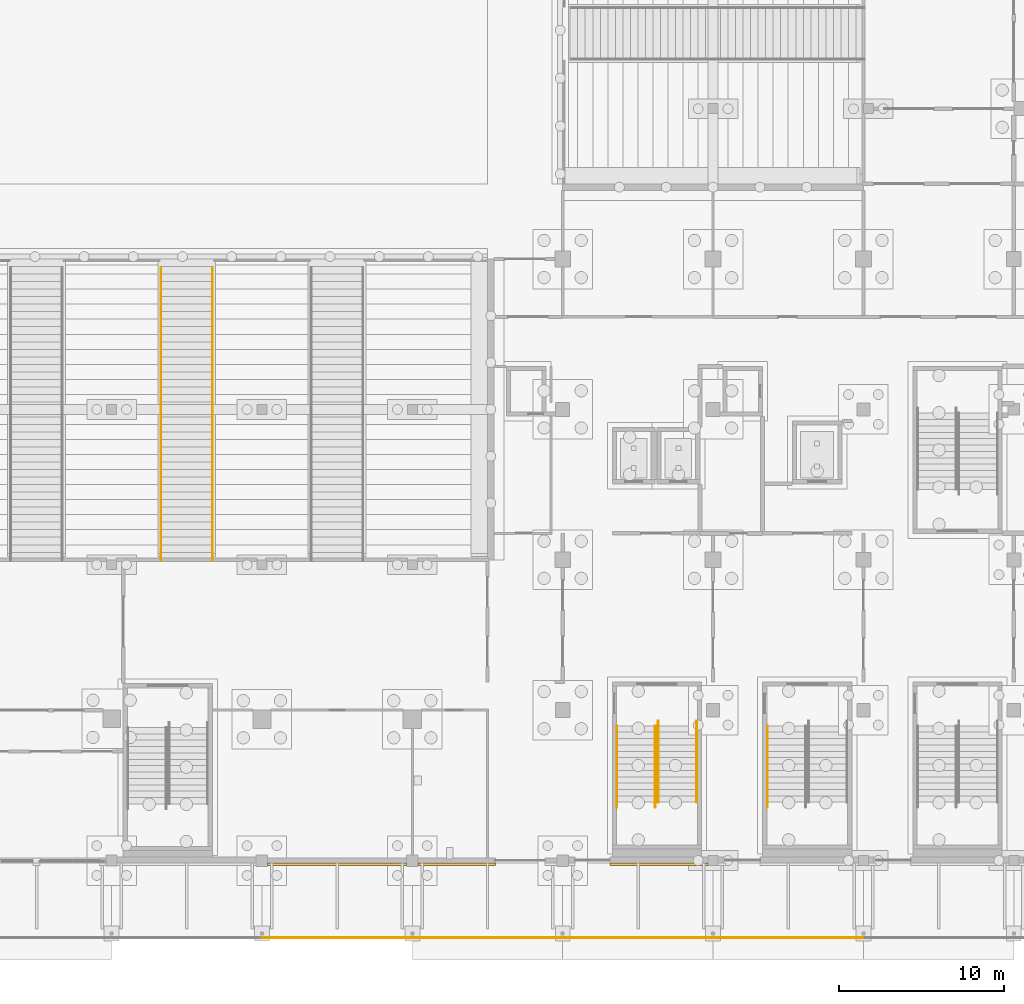
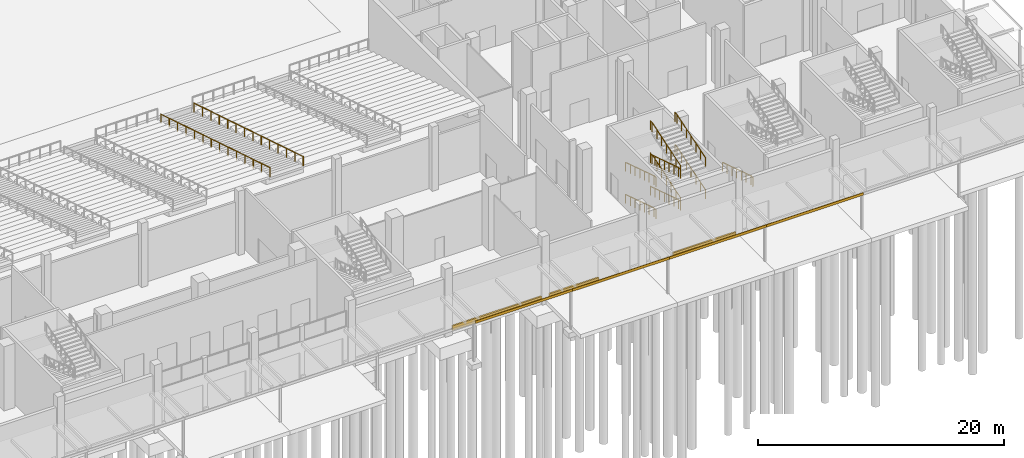
# One storey, part 106 of 129: 11 railings, 7 coverings.
"""IFC4 building model written with IfcOpenShell, lengths in metres."""

from ifc_helpers import new_model, si_unit, direction, frame, origin, origin_2d, place, context, subcontext, project, spatial, rectangle, circle, extrude, material, layer, layer_set, type_object, element, save


model = new_model("IFC4")

# Units and contexts
model_context = context("Model", 3, precision=1e-05, world=origin(), true_north=direction((0.0, 1.0)))
body_context = subcontext(model_context, "Body", "Model", "MODEL_VIEW")
ifc_project = project(units=[si_unit("LENGTHUNIT", "METRE"), si_unit("AREAUNIT", "SQUARE_METRE"), si_unit("VOLUMEUNIT", "CUBIC_METRE"), si_unit("PLANEANGLEUNIT", "RADIAN"), si_unit("MASSUNIT", "GRAM", prefix="KILO")], contexts=[model_context])

# Site, building, storey
site_placement = place(None, origin())
site = spatial("IfcSite", under=ifc_project, at=site_placement, CompositionType="ELEMENT")
building_placement = place(site_placement, origin())
building = spatial("IfcBuilding", under=site, at=building_placement, Name="Shirokan Park Arena", CompositionType="ELEMENT")
storey_placement = place(building_placement, origin())
storey = spatial("IfcBuildingStorey", under=building, at=storey_placement, Name="L00", CompositionType="ELEMENT", Elevation=0.0)

# Railings
ifc_material_1 = material(Name="Stainless steel", Category="steel")
railing_type_1 = type_object("IfcRailingType", Name="Aisle handrail 900", PredefinedType="HANDRAIL", material=ifc_material_1)
railing_1_placement = place(storey_placement, frame((84.889892578125, 35.89501953125, 0.909912109375)))
element("IfcRailing", 1, at=railing_1_placement, inside=storey, type_object=railing_type_1, Name="Handrail vomitory stair S5 lower", PredefinedType="HANDRAIL", context=body_context, shape_type="SweptSolid", body=[
    extrude(circle(Radius=0.02490234375, at=origin_2d()), frame((0.0, 0.0, 0.89013671875), z_axis=(0.0, -0.955745737905, 0.294193957241), x_axis=(1.0, 0.0, 0.0)), (0.0, 0.0, 1.0), 1.42822265625),
    extrude(circle(Radius=0.02490234375, at=origin_2d()), frame((0.0, -1.364990234375, 1.310546875), z_axis=(0.0, -0.95579379257, 0.294037797035), x_axis=(1.0, 0.0, 0.0)), (0.0, 0.0, 1.0), 1.42822265625),
    extrude(circle(Radius=0.02490234375, at=origin_2d()), frame((0.0, -2.72998046875, 1.73046875), z_axis=(0.0, -0.95579379257, 0.294037797035), x_axis=(1.0, 0.0, 0.0)), (0.0, 0.0, 1.0), 1.42822265625),
    extrude(circle(Radius=0.02490234375, at=origin_2d()), frame((0.0, -4.094970703125, 2.150390625), z_axis=(0.0, -0.955745737905, 0.294193957241), x_axis=(1.0, 0.0, 0.0)), (0.0, 0.0, 1.0), 1.42822265625),
    extrude(circle(Radius=0.02490234375, at=origin_2d()), frame((0.0, -5.4599609375, 2.5703125), z_axis=(0.0, -0.95579379257, 0.294037797035), x_axis=(1.0, 0.0, 0.0)), (0.0, 0.0, 1.0), 1.42822265625),
    extrude(circle(Radius=0.02490234375, at=origin_2d()), frame((0.0, -6.824951171875, 2.990234375), z_axis=(0.0, -0.95579379257, 0.294037797035), x_axis=(1.0, 0.0, 0.0)), (0.0, 0.0, 1.0), 1.42822265625),
    extrude(circle(Radius=0.02490234375, at=origin_2d()), frame((0.0, -8.18994140625, 3.41015625), z_axis=(0.0, -0.955745737905, 0.294193957241), x_axis=(1.0, 0.0, 0.0)), (0.0, 0.0, 1.0), 1.42822265625),
    extrude(circle(Radius=0.02490234375, at=origin_2d()), frame((0.0, -9.554931640625, 3.83056640625), z_axis=(0.0, -0.95579379257, 0.294037797035), x_axis=(1.0, 0.0, 0.0)), (0.0, 0.0, 1.0), 1.42822265625),
    extrude(circle(Radius=0.02490234375, at=origin_2d()), frame((0.0, -10.919921875, 4.25048828125), z_axis=(0.0, -0.95579379257, 0.294037797035), x_axis=(1.0, 0.0, 0.0)), (0.0, 0.0, 1.0), 1.42822265625),
    extrude(circle(Radius=0.02490234375, at=origin_2d()), frame((0.0, -12.284912109375, 4.67041015625), z_axis=(0.0, -0.955745737905, 0.294193957241), x_axis=(1.0, 0.0, 0.0)), (0.0, 0.0, 1.0), 1.42822265625),
    extrude(circle(Radius=0.02490234375, at=origin_2d()), frame((0.0, -13.64990234375, 5.09033203125), z_axis=(0.0, -0.955808569173, 0.293989760189), x_axis=(1.0, 0.0, 0.0)), (0.0, 0.0, 1.0), 1.428466796875),
    extrude(circle(Radius=0.02490234375, at=origin_2d()), frame((0.0, -15.01513671875, 5.51025390625), z_axis=(0.0, -0.95579379257, 0.294037797035), x_axis=(1.0, 0.0, 0.0)), (0.0, 0.0, 1.0), 1.42822265625),
    extrude(circle(Radius=0.02490234375, at=origin_2d()), frame((0.0, -16.380126953125, 5.93017578125), z_axis=(0.0, -0.955745737905, 0.294193957241), x_axis=(1.0, 0.0, 0.0)), (0.0, 0.0, 1.0), 1.42822265625),
    extrude(circle(Radius=0.02490234375, at=origin_2d()), origin(), (0.0, 0.0, 1.0), 0.865234375),
    extrude(circle(Radius=0.02490234375, at=origin_2d()), frame((0.0, -1.364990234375, 0.420166015625)), (0.0, 0.0, 1.0), 0.865234375),
    extrude(circle(Radius=0.02490234375, at=origin_2d()), frame((0.0, -2.72998046875, 0.840087890625)), (0.0, 0.0, 1.0), 0.865234375),
    extrude(circle(Radius=0.02490234375, at=origin_2d()), frame((0.0, -4.094970703125, 1.260009765625)), (0.0, 0.0, 1.0), 0.865234375),
    extrude(circle(Radius=0.02490234375, at=origin_2d()), frame((0.0, -5.4599609375, 1.68017578125)), (0.0, 0.0, 1.0), 0.865234375),
    extrude(circle(Radius=0.02490234375, at=origin_2d()), frame((0.0, -6.824951171875, 2.10009765625)), (0.0, 0.0, 1.0), 0.865234375),
    extrude(circle(Radius=0.02490234375, at=origin_2d()), frame((0.0, -8.18994140625, 2.52001953125)), (0.0, 0.0, 1.0), 0.865234375),
    extrude(circle(Radius=0.02490234375, at=origin_2d()), frame((0.0, -9.554931640625, 2.940185546875)), (0.0, 0.0, 1.0), 0.865234375),
    extrude(circle(Radius=0.02490234375, at=origin_2d()), frame((0.0, -10.919921875, 3.360107421875)), (0.0, 0.0, 1.0), 0.865234375),
    extrude(circle(Radius=0.02490234375, at=origin_2d()), frame((0.0, -12.284912109375, 3.780029296875)), (0.0, 0.0, 1.0), 0.865234375),
    extrude(circle(Radius=0.02490234375, at=origin_2d()), frame((0.0, -13.64990234375, 4.2001953125)), (0.0, 0.0, 1.0), 0.865234375),
    extrude(circle(Radius=0.02490234375, at=origin_2d()), frame((0.0, -15.01513671875, 4.6201171875)), (0.0, 0.0, 1.0), 0.865234375),
    extrude(circle(Radius=0.02490234375, at=origin_2d()), frame((0.0, -16.380126953125, 5.0400390625)), (0.0, 0.0, 1.0), 0.865234375),
    extrude(circle(Radius=0.02490234375, at=origin_2d()), frame((0.0, -17.7451171875, 5.460205078125)), (0.0, 0.0, 1.0), 0.865234375),
])
railing_2_placement = place(storey_placement, frame((88.010009765625, 35.89501953125, 0.909912109375)))
element("IfcRailing", 2, at=railing_2_placement, inside=storey, type_object=railing_type_1, Name="Handrail vomitory stair S5 lower", PredefinedType="HANDRAIL", context=body_context, shape_type="SweptSolid", body=[
    extrude(circle(Radius=0.02490234375, at=origin_2d()), frame((0.0, 0.0, 0.89013671875), z_axis=(0.0, -0.955745737905, 0.294193957241), x_axis=(1.0, 0.0, 0.0)), (0.0, 0.0, 1.0), 1.42822265625),
    extrude(circle(Radius=0.02490234375, at=origin_2d()), frame((0.0, -1.364990234375, 1.310546875), z_axis=(0.0, -0.95579379257, 0.294037797035), x_axis=(1.0, 0.0, 0.0)), (0.0, 0.0, 1.0), 1.42822265625),
    extrude(circle(Radius=0.02490234375, at=origin_2d()), frame((0.0, -2.72998046875, 1.73046875), z_axis=(0.0, -0.95579379257, 0.294037797035), x_axis=(1.0, 0.0, 0.0)), (0.0, 0.0, 1.0), 1.42822265625),
    extrude(circle(Radius=0.02490234375, at=origin_2d()), frame((0.0, -4.094970703125, 2.150390625), z_axis=(0.0, -0.955745737905, 0.294193957241), x_axis=(1.0, 0.0, 0.0)), (0.0, 0.0, 1.0), 1.42822265625),
    extrude(circle(Radius=0.02490234375, at=origin_2d()), frame((0.0, -5.4599609375, 2.5703125), z_axis=(0.0, -0.95579379257, 0.294037797035), x_axis=(1.0, 0.0, 0.0)), (0.0, 0.0, 1.0), 1.42822265625),
    extrude(circle(Radius=0.02490234375, at=origin_2d()), frame((0.0, -6.824951171875, 2.990234375), z_axis=(0.0, -0.95579379257, 0.294037797035), x_axis=(1.0, 0.0, 0.0)), (0.0, 0.0, 1.0), 1.42822265625),
    extrude(circle(Radius=0.02490234375, at=origin_2d()), frame((0.0, -8.18994140625, 3.41015625), z_axis=(0.0, -0.955745737905, 0.294193957241), x_axis=(1.0, 0.0, 0.0)), (0.0, 0.0, 1.0), 1.42822265625),
    extrude(circle(Radius=0.02490234375, at=origin_2d()), frame((0.0, -9.554931640625, 3.83056640625), z_axis=(0.0, -0.95579379257, 0.294037797035), x_axis=(1.0, 0.0, 0.0)), (0.0, 0.0, 1.0), 1.42822265625),
    extrude(circle(Radius=0.02490234375, at=origin_2d()), frame((0.0, -10.919921875, 4.25048828125), z_axis=(0.0, -0.95579379257, 0.294037797035), x_axis=(1.0, 0.0, 0.0)), (0.0, 0.0, 1.0), 1.42822265625),
    extrude(circle(Radius=0.02490234375, at=origin_2d()), frame((0.0, -12.284912109375, 4.67041015625), z_axis=(0.0, -0.955745737905, 0.294193957241), x_axis=(1.0, 0.0, 0.0)), (0.0, 0.0, 1.0), 1.42822265625),
    extrude(circle(Radius=0.02490234375, at=origin_2d()), frame((0.0, -13.64990234375, 5.09033203125), z_axis=(0.0, -0.955808569173, 0.293989760189), x_axis=(1.0, 0.0, 0.0)), (0.0, 0.0, 1.0), 1.428466796875),
    extrude(circle(Radius=0.02490234375, at=origin_2d()), frame((0.0, -15.01513671875, 5.51025390625), z_axis=(0.0, -0.95579379257, 0.294037797035), x_axis=(1.0, 0.0, 0.0)), (0.0, 0.0, 1.0), 1.42822265625),
    extrude(circle(Radius=0.02490234375, at=origin_2d()), frame((0.0, -16.380126953125, 5.93017578125), z_axis=(0.0, -0.955745737905, 0.294193957241), x_axis=(1.0, 0.0, 0.0)), (0.0, 0.0, 1.0), 1.42822265625),
    extrude(circle(Radius=0.02490234375, at=origin_2d()), origin(), (0.0, 0.0, 1.0), 0.865234375),
    extrude(circle(Radius=0.02490234375, at=origin_2d()), frame((0.0, -1.364990234375, 0.420166015625)), (0.0, 0.0, 1.0), 0.865234375),
    extrude(circle(Radius=0.02490234375, at=origin_2d()), frame((0.0, -2.72998046875, 0.840087890625)), (0.0, 0.0, 1.0), 0.865234375),
    extrude(circle(Radius=0.02490234375, at=origin_2d()), frame((0.0, -4.094970703125, 1.260009765625)), (0.0, 0.0, 1.0), 0.865234375),
    extrude(circle(Radius=0.02490234375, at=origin_2d()), frame((0.0, -5.4599609375, 1.68017578125)), (0.0, 0.0, 1.0), 0.865234375),
    extrude(circle(Radius=0.02490234375, at=origin_2d()), frame((0.0, -6.824951171875, 2.10009765625)), (0.0, 0.0, 1.0), 0.865234375),
    extrude(circle(Radius=0.02490234375, at=origin_2d()), frame((0.0, -8.18994140625, 2.52001953125)), (0.0, 0.0, 1.0), 0.865234375),
    extrude(circle(Radius=0.02490234375, at=origin_2d()), frame((0.0, -9.554931640625, 2.940185546875)), (0.0, 0.0, 1.0), 0.865234375),
    extrude(circle(Radius=0.02490234375, at=origin_2d()), frame((0.0, -10.919921875, 3.360107421875)), (0.0, 0.0, 1.0), 0.865234375),
    extrude(circle(Radius=0.02490234375, at=origin_2d()), frame((0.0, -12.284912109375, 3.780029296875)), (0.0, 0.0, 1.0), 0.865234375),
    extrude(circle(Radius=0.02490234375, at=origin_2d()), frame((0.0, -13.64990234375, 4.2001953125)), (0.0, 0.0, 1.0), 0.865234375),
    extrude(circle(Radius=0.02490234375, at=origin_2d()), frame((0.0, -15.01513671875, 4.6201171875)), (0.0, 0.0, 1.0), 0.865234375),
    extrude(circle(Radius=0.02490234375, at=origin_2d()), frame((0.0, -16.380126953125, 5.0400390625)), (0.0, 0.0, 1.0), 0.865234375),
    extrude(circle(Radius=0.02490234375, at=origin_2d()), frame((0.0, -17.7451171875, 5.460205078125)), (0.0, 0.0, 1.0), 0.865234375),
])

# Coverings
ifc_material_2 = material(Name="Timber fascia (cedar)", Category="wood")
ifc_layer_1 = layer(ifc_material_2, 0.050048828125)
ifc_layer_set_1 = layer_set([ifc_layer_1], Name="Timber fascia (cedar) 50 mm")
covering_type_1 = type_object("IfcCoveringType", Name="Canopy fascia 50x250", PredefinedType="CLADDING", material=ifc_layer_set_1)
for number, where, z_axis, x_axis, name in (
    (3, (95.550048828125, -4.675048828125, 3.5), (0.0, 0.0, 1.0), (1.0, 0.0, 0.0), "Canopy fascia south bay 11"),
    (4, (104.64990234375, -4.675048828125, 3.5), (0.0, 0.0, 1.0), (1.0, 0.0, 0.0), "Canopy fascia south bay 12"),
    (5, (113.75, -4.675048828125, 3.5), (0.0, 0.0, 1.0), (1.0, 0.0, 0.0), "Canopy fascia south bay 13"),
    (6, (122.85009765625, -4.675048828125, 3.5), (0.0, 0.0, 1.0), (1.0, 0.0, 0.0), "Canopy fascia south bay 14"),
):
    element("IfcCovering", number, at=place(storey_placement, frame(where, z_axis=z_axis, x_axis=x_axis)), inside=storey, type_object=covering_type_1, Name=name, PredefinedType="CLADDING", context=body_context, shape_type="SweptSolid", body=[
        extrude(rectangle(XDim=9.10009765625, YDim=0.050048828125, at=origin_2d()), origin(), (0.0, 0.0, 1.0), 0.25),
    ])

# Railings
railing_type_2 = type_object("IfcRailingType", Name="Stair handrail 900", PredefinedType="HANDRAIL", material=ifc_material_1)
railing_3_placement = place(storey_placement, frame((121.590087890625, 8.14990234375, 0.12255859375)))
element("IfcRailing", 7, at=railing_3_placement, inside=storey, type_object=railing_type_2, Name="Handrail Exit Stair 2.C L00 to L01", PredefinedType="HANDRAIL", context=body_context, shape_type="SweptSolid", body=[
    extrude(circle(Radius=0.02392578125, at=origin_2d()), frame((0.0, 0.0, 0.8759765625), z_axis=(0.0, -0.952915858112, 0.303234838629), x_axis=(1.0, 0.0, 0.0)), (0.0, 0.0, 1.0), 1.615966796875),
    extrude(circle(Radius=0.02392578125, at=origin_2d()), frame((0.0, -1.539794921875, 1.36572265625), z_axis=(0.0, -0.952929747917, 0.303191186441), x_axis=(1.0, 0.0, 0.0)), (0.0, 0.0, 1.0), 1.6162109375),
    extrude(circle(Radius=0.02392578125, at=origin_2d()), frame((0.0, -3.079833984375, 1.85595703125), z_axis=(0.0, -0.952929747917, 0.303191186441), x_axis=(1.0, 0.0, 0.0)), (0.0, 0.0, 1.0), 1.6162109375),
    extrude(circle(Radius=0.02392578125, at=origin_2d()), frame((0.0, -4.619873046875, 2.345703125), z_axis=(0.0, -1.0, 0.0), x_axis=(1.0, 0.0, 0.0)), (0.0, 0.0, 1.0), 0.300048828125),
    extrude(circle(Radius=0.02099609375, at=origin_2d()), origin(), (0.0, 0.0, 1.0), 0.851806640625),
    extrude(circle(Radius=0.02099609375, at=origin_2d()), frame((0.0, -0.77001953125, 0.2451171875)), (0.0, 0.0, 1.0), 0.851806640625),
    extrude(circle(Radius=0.02099609375, at=origin_2d()), frame((0.0, -1.539794921875, 0.489990234375)), (0.0, 0.0, 1.0), 0.851806640625),
    extrude(circle(Radius=0.02099609375, at=origin_2d()), frame((0.0, -2.309814453125, 0.73486328125)), (0.0, 0.0, 1.0), 0.851806640625),
    extrude(circle(Radius=0.02099609375, at=origin_2d()), frame((0.0, -3.079833984375, 0.97998046875)), (0.0, 0.0, 1.0), 0.851806640625),
    extrude(circle(Radius=0.02099609375, at=origin_2d()), frame((0.0, -3.849853515625, 1.22509765625)), (0.0, 0.0, 1.0), 0.851806640625),
    extrude(circle(Radius=0.02099609375, at=origin_2d()), frame((0.0, -4.619873046875, 1.469970703125)), (0.0, 0.0, 1.0), 0.851806640625),
    extrude(circle(Radius=0.02099609375, at=origin_2d()), frame((0.0, -4.919921875, 1.469970703125)), (0.0, 0.0, 1.0), 0.851806640625),
])
railing_4_placement = place(storey_placement, frame((112.489990234375, 8.14990234375, 0.12255859375)))
element("IfcRailing", 8, at=railing_4_placement, inside=storey, type_object=railing_type_2, Name="Handrail Exit Stair 2.D L00 to L01", PredefinedType="HANDRAIL", context=body_context, shape_type="SweptSolid", body=[
    extrude(circle(Radius=0.02392578125, at=origin_2d()), frame((0.0, 0.0, 0.8759765625), z_axis=(0.0, -0.952915858112, 0.303234838629), x_axis=(1.0, 0.0, 0.0)), (0.0, 0.0, 1.0), 1.615966796875),
    extrude(circle(Radius=0.02392578125, at=origin_2d()), frame((0.0, -1.539794921875, 1.36572265625), z_axis=(0.0, -0.952929747917, 0.303191186441), x_axis=(1.0, 0.0, 0.0)), (0.0, 0.0, 1.0), 1.6162109375),
    extrude(circle(Radius=0.02392578125, at=origin_2d()), frame((0.0, -3.079833984375, 1.85595703125), z_axis=(0.0, -0.952929747917, 0.303191186441), x_axis=(1.0, 0.0, 0.0)), (0.0, 0.0, 1.0), 1.6162109375),
    extrude(circle(Radius=0.02392578125, at=origin_2d()), frame((0.0, -4.619873046875, 2.345703125), z_axis=(0.0, -1.0, 0.0), x_axis=(1.0, 0.0, 0.0)), (0.0, 0.0, 1.0), 0.300048828125),
    extrude(circle(Radius=0.02099609375, at=origin_2d()), origin(), (0.0, 0.0, 1.0), 0.851806640625),
    extrude(circle(Radius=0.02099609375, at=origin_2d()), frame((0.0, -0.77001953125, 0.2451171875)), (0.0, 0.0, 1.0), 0.851806640625),
    extrude(circle(Radius=0.02099609375, at=origin_2d()), frame((0.0, -1.539794921875, 0.489990234375)), (0.0, 0.0, 1.0), 0.851806640625),
    extrude(circle(Radius=0.02099609375, at=origin_2d()), frame((0.0, -2.309814453125, 0.73486328125)), (0.0, 0.0, 1.0), 0.851806640625),
    extrude(circle(Radius=0.02099609375, at=origin_2d()), frame((0.0, -3.079833984375, 0.97998046875)), (0.0, 0.0, 1.0), 0.851806640625),
    extrude(circle(Radius=0.02099609375, at=origin_2d()), frame((0.0, -3.849853515625, 1.22509765625)), (0.0, 0.0, 1.0), 0.851806640625),
    extrude(circle(Radius=0.02099609375, at=origin_2d()), frame((0.0, -4.619873046875, 1.469970703125)), (0.0, 0.0, 1.0), 0.851806640625),
    extrude(circle(Radius=0.02099609375, at=origin_2d()), frame((0.0, -4.919921875, 1.469970703125)), (0.0, 0.0, 1.0), 0.851806640625),
])
railing_5_placement = place(storey_placement, frame((114.81005859375, 8.14990234375, 0.12255859375)))
element("IfcRailing", 9, at=railing_5_placement, inside=storey, type_object=railing_type_2, Name="Handrail Exit Stair 2.D L00 to L01", PredefinedType="HANDRAIL", context=body_context, shape_type="SweptSolid", body=[
    extrude(circle(Radius=0.02392578125, at=origin_2d()), frame((0.0, 0.0, 0.8759765625), z_axis=(0.0, -0.952915858112, 0.303234838629), x_axis=(1.0, 0.0, 0.0)), (0.0, 0.0, 1.0), 1.615966796875),
    extrude(circle(Radius=0.02392578125, at=origin_2d()), frame((0.0, -1.539794921875, 1.36572265625), z_axis=(0.0, -0.952929747917, 0.303191186441), x_axis=(1.0, 0.0, 0.0)), (0.0, 0.0, 1.0), 1.6162109375),
    extrude(circle(Radius=0.02392578125, at=origin_2d()), frame((0.0, -3.079833984375, 1.85595703125), z_axis=(0.0, -0.952929747917, 0.303191186441), x_axis=(1.0, 0.0, 0.0)), (0.0, 0.0, 1.0), 1.6162109375),
    extrude(circle(Radius=0.02392578125, at=origin_2d()), frame((0.0, -4.619873046875, 2.345703125), z_axis=(0.0, -1.0, 0.0), x_axis=(1.0, 0.0, 0.0)), (0.0, 0.0, 1.0), 0.300048828125),
    extrude(circle(Radius=0.02099609375, at=origin_2d()), origin(), (0.0, 0.0, 1.0), 0.851806640625),
    extrude(circle(Radius=0.02099609375, at=origin_2d()), frame((0.0, -0.77001953125, 0.2451171875)), (0.0, 0.0, 1.0), 0.851806640625),
    extrude(circle(Radius=0.02099609375, at=origin_2d()), frame((0.0, -1.539794921875, 0.489990234375)), (0.0, 0.0, 1.0), 0.851806640625),
    extrude(circle(Radius=0.02099609375, at=origin_2d()), frame((0.0, -2.309814453125, 0.73486328125)), (0.0, 0.0, 1.0), 0.851806640625),
    extrude(circle(Radius=0.02099609375, at=origin_2d()), frame((0.0, -3.079833984375, 0.97998046875)), (0.0, 0.0, 1.0), 0.851806640625),
    extrude(circle(Radius=0.02099609375, at=origin_2d()), frame((0.0, -3.849853515625, 1.22509765625)), (0.0, 0.0, 1.0), 0.851806640625),
    extrude(circle(Radius=0.02099609375, at=origin_2d()), frame((0.0, -4.619873046875, 1.469970703125)), (0.0, 0.0, 1.0), 0.851806640625),
    extrude(circle(Radius=0.02099609375, at=origin_2d()), frame((0.0, -4.919921875, 1.469970703125)), (0.0, 0.0, 1.0), 0.851806640625),
])
railing_6_placement = place(storey_placement, frame((114.989990234375, 3.530029296875, 1.715087890625)))
element("IfcRailing", 10, at=railing_6_placement, inside=storey, type_object=railing_type_2, Name="Handrail Exit Stair 2.D L00 to L01", PredefinedType="HANDRAIL", context=body_context, shape_type="SweptSolid", body=[
    extrude(circle(Radius=0.02392578125, at=origin_2d()), frame((0.0, 0.0, 0.8759765625), z_axis=(0.0, 0.952929747917, 0.303191186441), x_axis=(-1.0, 0.0, 0.0)), (0.0, 0.0, 1.0), 1.6162109375),
    extrude(circle(Radius=0.02392578125, at=origin_2d()), frame((0.0, 1.5400390625, 1.36572265625), z_axis=(0.0, 0.952929747917, 0.303191186441), x_axis=(-1.0, 0.0, 0.0)), (0.0, 0.0, 1.0), 1.6162109375),
    extrude(circle(Radius=0.02392578125, at=origin_2d()), frame((0.0, 3.080078125, 1.85595703125), z_axis=(0.0, 0.952915858112, 0.303234838629), x_axis=(-1.0, 0.0, 0.0)), (0.0, 0.0, 1.0), 1.615966796875),
    extrude(circle(Radius=0.02392578125, at=origin_2d()), frame((0.0, 4.619873046875, 2.345703125), z_axis=(0.0, 1.0, 0.0), x_axis=(-1.0, 0.0, 0.0)), (0.0, 0.0, 1.0), 0.300048828125),
    extrude(circle(Radius=0.02099609375, at=origin_2d()), origin(), (0.0, 0.0, 1.0), 0.851806640625),
    extrude(circle(Radius=0.02099609375, at=origin_2d()), frame((0.0, 0.77001953125, 0.2451171875)), (0.0, 0.0, 1.0), 0.851806640625),
    extrude(circle(Radius=0.02099609375, at=origin_2d()), frame((0.0, 1.5400390625, 0.489990234375)), (0.0, 0.0, 1.0), 0.851806640625),
    extrude(circle(Radius=0.02099609375, at=origin_2d()), frame((0.0, 2.31005859375, 0.73486328125)), (0.0, 0.0, 1.0), 0.851806640625),
    extrude(circle(Radius=0.02099609375, at=origin_2d()), frame((0.0, 3.080078125, 0.97998046875)), (0.0, 0.0, 1.0), 0.851806640625),
    extrude(circle(Radius=0.02099609375, at=origin_2d()), frame((0.0, 3.85009765625, 1.22509765625)), (0.0, 0.0, 1.0), 0.851806640625),
    extrude(circle(Radius=0.02099609375, at=origin_2d()), frame((0.0, 4.619873046875, 1.469970703125)), (0.0, 0.0, 1.0), 0.851806640625),
    extrude(circle(Radius=0.02099609375, at=origin_2d()), frame((0.0, 4.919921875, 1.469970703125)), (0.0, 0.0, 1.0), 0.851806640625),
])
railing_7_placement = place(storey_placement, frame((117.31005859375, 3.530029296875, 1.715087890625)))
element("IfcRailing", 11, at=railing_7_placement, inside=storey, type_object=railing_type_2, Name="Handrail Exit Stair 2.D L00 to L01", PredefinedType="HANDRAIL", context=body_context, shape_type="SweptSolid", body=[
    extrude(circle(Radius=0.02392578125, at=origin_2d()), frame((0.0, 0.0, 0.8759765625), z_axis=(0.0, 0.952929747917, 0.303191186441), x_axis=(-1.0, 0.0, 0.0)), (0.0, 0.0, 1.0), 1.6162109375),
    extrude(circle(Radius=0.02392578125, at=origin_2d()), frame((0.0, 1.5400390625, 1.36572265625), z_axis=(0.0, 0.952929747917, 0.303191186441), x_axis=(-1.0, 0.0, 0.0)), (0.0, 0.0, 1.0), 1.6162109375),
    extrude(circle(Radius=0.02392578125, at=origin_2d()), frame((0.0, 3.080078125, 1.85595703125), z_axis=(0.0, 0.952915858112, 0.303234838629), x_axis=(-1.0, 0.0, 0.0)), (0.0, 0.0, 1.0), 1.615966796875),
    extrude(circle(Radius=0.02392578125, at=origin_2d()), frame((0.0, 4.619873046875, 2.345703125), z_axis=(0.0, 1.0, 0.0), x_axis=(-1.0, 0.0, 0.0)), (0.0, 0.0, 1.0), 0.300048828125),
    extrude(circle(Radius=0.02099609375, at=origin_2d()), origin(), (0.0, 0.0, 1.0), 0.851806640625),
    extrude(circle(Radius=0.02099609375, at=origin_2d()), frame((0.0, 0.77001953125, 0.2451171875)), (0.0, 0.0, 1.0), 0.851806640625),
    extrude(circle(Radius=0.02099609375, at=origin_2d()), frame((0.0, 1.5400390625, 0.489990234375)), (0.0, 0.0, 1.0), 0.851806640625),
    extrude(circle(Radius=0.02099609375, at=origin_2d()), frame((0.0, 2.31005859375, 0.73486328125)), (0.0, 0.0, 1.0), 0.851806640625),
    extrude(circle(Radius=0.02099609375, at=origin_2d()), frame((0.0, 3.080078125, 0.97998046875)), (0.0, 0.0, 1.0), 0.851806640625),
    extrude(circle(Radius=0.02099609375, at=origin_2d()), frame((0.0, 3.85009765625, 1.22509765625)), (0.0, 0.0, 1.0), 0.851806640625),
    extrude(circle(Radius=0.02099609375, at=origin_2d()), frame((0.0, 4.619873046875, 1.469970703125)), (0.0, 0.0, 1.0), 0.851806640625),
    extrude(circle(Radius=0.02099609375, at=origin_2d()), frame((0.0, 4.919921875, 1.469970703125)), (0.0, 0.0, 1.0), 0.851806640625),
])
railing_8_placement = place(storey_placement, frame((112.489990234375, 8.14990234375, 3.3076171875)))
element("IfcRailing", 12, at=railing_8_placement, inside=storey, type_object=railing_type_2, Name="Handrail Exit Stair 2.D L00 to L01", PredefinedType="HANDRAIL", context=body_context, shape_type="SweptSolid", body=[
    extrude(circle(Radius=0.02392578125, at=origin_2d()), frame((0.0, 0.0, 0.8759765625), z_axis=(0.0, -0.952915858112, 0.303234838629), x_axis=(1.0, 0.0, 0.0)), (0.0, 0.0, 1.0), 1.615966796875),
    extrude(circle(Radius=0.02392578125, at=origin_2d()), frame((0.0, -1.539794921875, 1.36572265625), z_axis=(0.0, -0.952929747917, 0.303191186441), x_axis=(1.0, 0.0, 0.0)), (0.0, 0.0, 1.0), 1.6162109375),
    extrude(circle(Radius=0.02392578125, at=origin_2d()), frame((0.0, -3.079833984375, 1.85595703125), z_axis=(0.0, -0.952929747917, 0.303191186441), x_axis=(1.0, 0.0, 0.0)), (0.0, 0.0, 1.0), 1.6162109375),
    extrude(circle(Radius=0.02392578125, at=origin_2d()), frame((0.0, -4.619873046875, 2.345703125), z_axis=(0.0, -1.0, 0.0), x_axis=(1.0, 0.0, 0.0)), (0.0, 0.0, 1.0), 0.300048828125),
    extrude(circle(Radius=0.02099609375, at=origin_2d()), origin(), (0.0, 0.0, 1.0), 0.851806640625),
    extrude(circle(Radius=0.02099609375, at=origin_2d()), frame((0.0, -0.77001953125, 0.2451171875)), (0.0, 0.0, 1.0), 0.851806640625),
    extrude(circle(Radius=0.02099609375, at=origin_2d()), frame((0.0, -1.539794921875, 0.489990234375)), (0.0, 0.0, 1.0), 0.851806640625),
    extrude(circle(Radius=0.02099609375, at=origin_2d()), frame((0.0, -2.309814453125, 0.73486328125)), (0.0, 0.0, 1.0), 0.851806640625),
    extrude(circle(Radius=0.02099609375, at=origin_2d()), frame((0.0, -3.079833984375, 0.97998046875)), (0.0, 0.0, 1.0), 0.851806640625),
    extrude(circle(Radius=0.02099609375, at=origin_2d()), frame((0.0, -3.849853515625, 1.22509765625)), (0.0, 0.0, 1.0), 0.851806640625),
    extrude(circle(Radius=0.02099609375, at=origin_2d()), frame((0.0, -4.619873046875, 1.469970703125)), (0.0, 0.0, 1.0), 0.851806640625),
    extrude(circle(Radius=0.02099609375, at=origin_2d()), frame((0.0, -4.919921875, 1.469970703125)), (0.0, 0.0, 1.0), 0.851806640625),
])
railing_9_placement = place(storey_placement, frame((114.81005859375, 8.14990234375, 3.3076171875)))
element("IfcRailing", 13, at=railing_9_placement, inside=storey, type_object=railing_type_2, Name="Handrail Exit Stair 2.D L00 to L01", PredefinedType="HANDRAIL", context=body_context, shape_type="SweptSolid", body=[
    extrude(circle(Radius=0.02392578125, at=origin_2d()), frame((0.0, 0.0, 0.8759765625), z_axis=(0.0, -0.952915858112, 0.303234838629), x_axis=(1.0, 0.0, 0.0)), (0.0, 0.0, 1.0), 1.615966796875),
    extrude(circle(Radius=0.02392578125, at=origin_2d()), frame((0.0, -1.539794921875, 1.36572265625), z_axis=(0.0, -0.952929747917, 0.303191186441), x_axis=(1.0, 0.0, 0.0)), (0.0, 0.0, 1.0), 1.6162109375),
    extrude(circle(Radius=0.02392578125, at=origin_2d()), frame((0.0, -3.079833984375, 1.85595703125), z_axis=(0.0, -0.952929747917, 0.303191186441), x_axis=(1.0, 0.0, 0.0)), (0.0, 0.0, 1.0), 1.6162109375),
    extrude(circle(Radius=0.02392578125, at=origin_2d()), frame((0.0, -4.619873046875, 2.345703125), z_axis=(0.0, -1.0, 0.0), x_axis=(1.0, 0.0, 0.0)), (0.0, 0.0, 1.0), 0.300048828125),
    extrude(circle(Radius=0.02099609375, at=origin_2d()), origin(), (0.0, 0.0, 1.0), 0.851806640625),
    extrude(circle(Radius=0.02099609375, at=origin_2d()), frame((0.0, -0.77001953125, 0.2451171875)), (0.0, 0.0, 1.0), 0.851806640625),
    extrude(circle(Radius=0.02099609375, at=origin_2d()), frame((0.0, -1.539794921875, 0.489990234375)), (0.0, 0.0, 1.0), 0.851806640625),
    extrude(circle(Radius=0.02099609375, at=origin_2d()), frame((0.0, -2.309814453125, 0.73486328125)), (0.0, 0.0, 1.0), 0.851806640625),
    extrude(circle(Radius=0.02099609375, at=origin_2d()), frame((0.0, -3.079833984375, 0.97998046875)), (0.0, 0.0, 1.0), 0.851806640625),
    extrude(circle(Radius=0.02099609375, at=origin_2d()), frame((0.0, -3.849853515625, 1.22509765625)), (0.0, 0.0, 1.0), 0.851806640625),
    extrude(circle(Radius=0.02099609375, at=origin_2d()), frame((0.0, -4.619873046875, 1.469970703125)), (0.0, 0.0, 1.0), 0.851806640625),
    extrude(circle(Radius=0.02099609375, at=origin_2d()), frame((0.0, -4.919921875, 1.469970703125)), (0.0, 0.0, 1.0), 0.851806640625),
])
railing_10_placement = place(storey_placement, frame((114.989990234375, 3.530029296875, 4.89990234375)))
element("IfcRailing", 14, at=railing_10_placement, inside=storey, type_object=railing_type_2, Name="Handrail Exit Stair 2.D L00 to L01", PredefinedType="HANDRAIL", context=body_context, shape_type="SweptSolid", body=[
    extrude(circle(Radius=0.02392578125, at=origin_2d()), frame((0.0, 0.0, 0.8759765625), z_axis=(0.0, 0.952929747917, 0.303191186441), x_axis=(-1.0, 0.0, 0.0)), (0.0, 0.0, 1.0), 1.6162109375),
    extrude(circle(Radius=0.02392578125, at=origin_2d()), frame((0.0, 1.5400390625, 1.36572265625), z_axis=(0.0, 0.952929747917, 0.303191186441), x_axis=(-1.0, 0.0, 0.0)), (0.0, 0.0, 1.0), 1.6162109375),
    extrude(circle(Radius=0.02392578125, at=origin_2d()), frame((0.0, 3.080078125, 1.85595703125), z_axis=(0.0, 0.952872192083, 0.303372025004), x_axis=(-1.0, 0.0, 0.0)), (0.0, 0.0, 1.0), 1.615966796875),
    extrude(circle(Radius=0.02392578125, at=origin_2d()), frame((0.0, 4.619873046875, 2.34619140625), z_axis=(0.0, 1.0, 0.0), x_axis=(-1.0, 0.0, 0.0)), (0.0, 0.0, 1.0), 0.300048828125),
    extrude(circle(Radius=0.02099609375, at=origin_2d()), origin(), (0.0, 0.0, 1.0), 0.851806640625),
    extrude(circle(Radius=0.02099609375, at=origin_2d()), frame((0.0, 0.77001953125, 0.2451171875)), (0.0, 0.0, 1.0), 0.851806640625),
    extrude(circle(Radius=0.02099609375, at=origin_2d()), frame((0.0, 1.5400390625, 0.489990234375)), (0.0, 0.0, 1.0), 0.851806640625),
    extrude(circle(Radius=0.02099609375, at=origin_2d()), frame((0.0, 2.31005859375, 0.73486328125)), (0.0, 0.0, 1.0), 0.851806640625),
    extrude(circle(Radius=0.02099609375, at=origin_2d()), frame((0.0, 3.080078125, 0.97998046875)), (0.0, 0.0, 1.0), 0.851806640625),
    extrude(circle(Radius=0.02099609375, at=origin_2d()), frame((0.0, 3.85009765625, 1.22509765625)), (0.0, 0.0, 1.0), 0.851806640625),
    extrude(circle(Radius=0.02099609375, at=origin_2d()), frame((0.0, 4.619873046875, 1.47021484375)), (0.0, 0.0, 1.0), 0.851806640625),
    extrude(circle(Radius=0.02099609375, at=origin_2d()), frame((0.0, 4.919921875, 1.47021484375)), (0.0, 0.0, 1.0), 0.851806640625),
])
railing_11_placement = place(storey_placement, frame((117.31005859375, 3.530029296875, 4.89990234375)))
element("IfcRailing", 15, at=railing_11_placement, inside=storey, type_object=railing_type_2, Name="Handrail Exit Stair 2.D L00 to L01", PredefinedType="HANDRAIL", context=body_context, shape_type="SweptSolid", body=[
    extrude(circle(Radius=0.02392578125, at=origin_2d()), frame((0.0, 0.0, 0.8759765625), z_axis=(0.0, 0.952929747917, 0.303191186441), x_axis=(-1.0, 0.0, 0.0)), (0.0, 0.0, 1.0), 1.6162109375),
    extrude(circle(Radius=0.02392578125, at=origin_2d()), frame((0.0, 1.5400390625, 1.36572265625), z_axis=(0.0, 0.952929747917, 0.303191186441), x_axis=(-1.0, 0.0, 0.0)), (0.0, 0.0, 1.0), 1.6162109375),
    extrude(circle(Radius=0.02392578125, at=origin_2d()), frame((0.0, 3.080078125, 1.85595703125), z_axis=(0.0, 0.952872192083, 0.303372025004), x_axis=(-1.0, 0.0, 0.0)), (0.0, 0.0, 1.0), 1.615966796875),
    extrude(circle(Radius=0.02392578125, at=origin_2d()), frame((0.0, 4.619873046875, 2.34619140625), z_axis=(0.0, 1.0, 0.0), x_axis=(-1.0, 0.0, 0.0)), (0.0, 0.0, 1.0), 0.300048828125),
    extrude(circle(Radius=0.02099609375, at=origin_2d()), origin(), (0.0, 0.0, 1.0), 0.851806640625),
    extrude(circle(Radius=0.02099609375, at=origin_2d()), frame((0.0, 0.77001953125, 0.2451171875)), (0.0, 0.0, 1.0), 0.851806640625),
    extrude(circle(Radius=0.02099609375, at=origin_2d()), frame((0.0, 1.5400390625, 0.489990234375)), (0.0, 0.0, 1.0), 0.851806640625),
    extrude(circle(Radius=0.02099609375, at=origin_2d()), frame((0.0, 2.31005859375, 0.73486328125)), (0.0, 0.0, 1.0), 0.851806640625),
    extrude(circle(Radius=0.02099609375, at=origin_2d()), frame((0.0, 3.080078125, 0.97998046875)), (0.0, 0.0, 1.0), 0.851806640625),
    extrude(circle(Radius=0.02099609375, at=origin_2d()), frame((0.0, 3.85009765625, 1.22509765625)), (0.0, 0.0, 1.0), 0.851806640625),
    extrude(circle(Radius=0.02099609375, at=origin_2d()), frame((0.0, 4.619873046875, 1.47021484375)), (0.0, 0.0, 1.0), 0.851806640625),
    extrude(circle(Radius=0.02099609375, at=origin_2d()), frame((0.0, 4.919921875, 1.47021484375)), (0.0, 0.0, 1.0), 0.851806640625),
])

# Coverings
ifc_material_3 = material(Name="Natural stone", Category="masonry")
ifc_layer_2 = layer(ifc_material_3, 0.14990234375)
ifc_layer_set_2 = layer_set([ifc_layer_2], Name="Natural stone 150 mm")
covering_type_2 = type_object("IfcCoveringType", Name="Stone plinth 150x450", PredefinedType="CLADDING", material=ifc_layer_set_2)
covering_1_placement = place(storey_placement, frame((95.550048828125, -0.22509765625, 0.0), z_axis=(0.0, 0.0, 1.0), x_axis=(1.0, 0.0, 0.0)))
element("IfcCovering", 16, at=covering_1_placement, inside=storey, type_object=covering_type_2, Name="Stone plinth south bay 11", PredefinedType="CLADDING", context=body_context, shape_type="SweptSolid", body=[
    extrude(rectangle(XDim=8.39990234375, YDim=0.14990234375, at=origin_2d()), origin(), (0.0, 0.0, 1.0), 0.449951171875),
])
covering_2_placement = place(storey_placement, frame((102.78759765625, -0.22509765625, 0.0), z_axis=(0.0, 0.0, 1.0), x_axis=(1.0, 0.0, 0.0)))
element("IfcCovering", 17, at=covering_2_placement, inside=storey, type_object=covering_type_2, Name="Stone plinth south bay 12", PredefinedType="CLADDING", context=body_context, shape_type="SweptSolid", body=[
    extrude(rectangle(XDim=4.675048828125, YDim=0.14990234375, at=origin_2d()), origin(), (0.0, 0.0, 1.0), 0.449951171875),
])
covering_3_placement = place(storey_placement, frame((115.02490234375, -0.22509765625, 0.0), z_axis=(0.0, 0.0, 1.0), x_axis=(1.0, 0.0, 0.0)))
element("IfcCovering", 18, at=covering_3_placement, inside=storey, type_object=covering_type_2, Name="Stone plinth south bay 13", PredefinedType="CLADDING", context=body_context, shape_type="SweptSolid", body=[
    extrude(rectangle(XDim=5.949951171875, YDim=0.14990234375, at=origin_2d()), origin(), (0.0, 0.0, 1.0), 0.449951171875),
])

save(model, "model.ifc")
